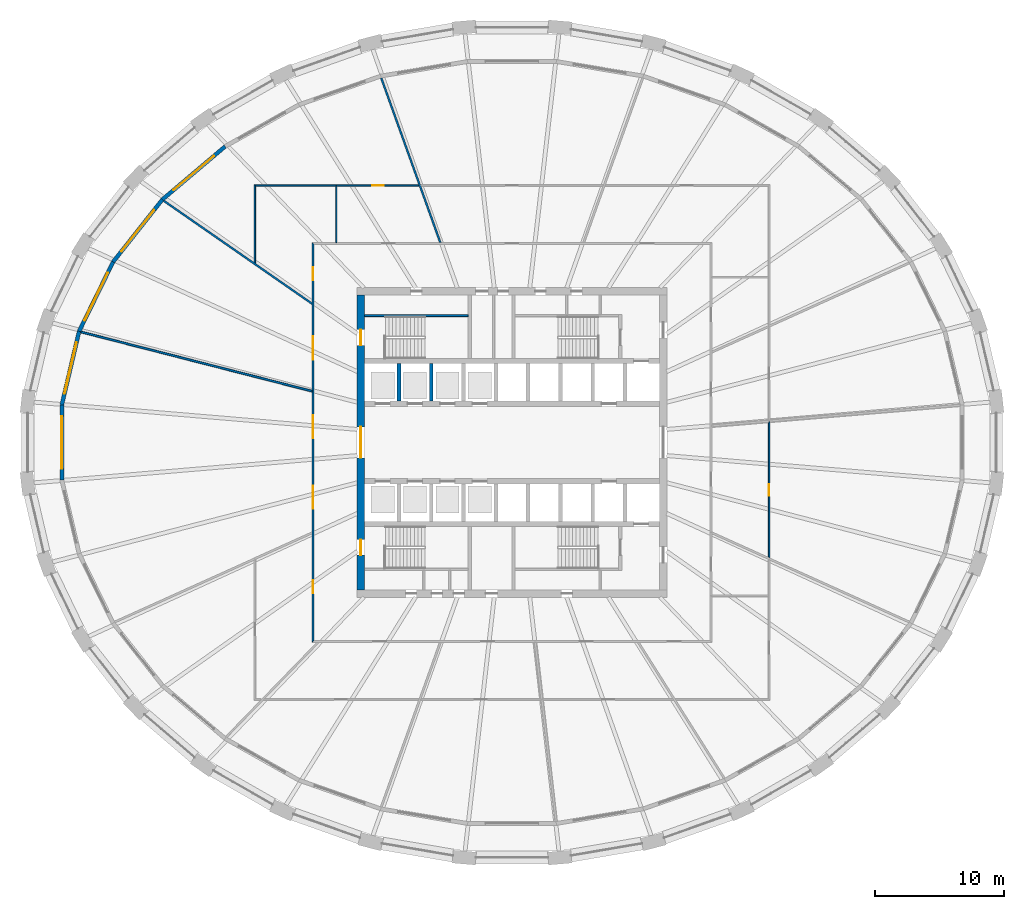
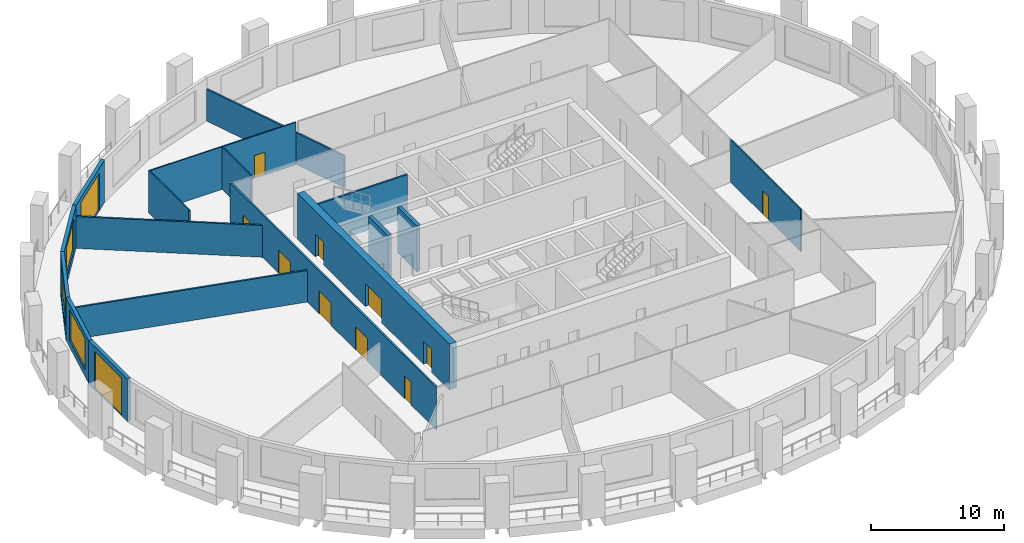
# One storey, part 5 of 11: 17 walls, 12 doors, 3 windows, 15 openings.
"""IFC4 building model written with IfcOpenShell, lengths in metres."""

from ifc_helpers import new_model, si_unit, direction, frame, frame_2d, origin, place, context, subcontext, project, spatial, polyline, rectangle, outline, extrude, material, layer, layer_set, type_object, element, fill, save


model = new_model("IFC4")

# Units and contexts
model_context = context("Model", 3, precision=1e-05, world=origin(), true_north=direction((0.0, 1.0)))
body_context = subcontext(model_context, "Body", "Model", "MODEL_VIEW")
ifc_project = project(units=[si_unit("LENGTHUNIT", "METRE"), si_unit("AREAUNIT", "SQUARE_METRE"), si_unit("VOLUMEUNIT", "CUBIC_METRE"), si_unit("PLANEANGLEUNIT", "RADIAN"), si_unit("MASSUNIT", "GRAM", prefix="KILO")], contexts=[model_context])

# Site, building, storey
site_placement = place(None, origin())
site = spatial("IfcSite", under=ifc_project, at=site_placement, CompositionType="ELEMENT")
building_placement = place(site_placement, origin())
building = spatial("IfcBuilding", under=site, at=building_placement, Name="Halqa Exchange Tower", CompositionType="ELEMENT")
storey_placement = place(building_placement, frame((0.0, 0.0, 36.10009765625)))
storey = spatial("IfcBuildingStorey", under=building, at=storey_placement, Name="L07", CompositionType="ELEMENT", Elevation=36.10009765625)

# Wall
ifc_material_1 = material(Name="Fire-rated gypsum board")
ifc_layer_1 = layer(ifc_material_1, 0.14990234375)
ifc_layer_set_1 = layer_set([ifc_layer_1], Name="Fire-rated gypsum board")
wall_type_1 = type_object("IfcWallType", Name="Fire partition EI 60 150", PredefinedType="PARTITIONING", material=ifc_layer_set_1)
wall_1_placement = place(storey_placement, frame((-26.949462890625, 18.702880859375, 0.0), z_axis=(0.0, 0.0, 1.0), x_axis=(0.821614916445, -0.570042918626, 0.0)))
element("IfcWall", 1, at=wall_1_placement, inside=storey, type_object=wall_type_1, Name="L07-PWL-002", PredefinedType="PARTITIONING", context=body_context, shape_type="SweptSolid", body=[
    extrude(outline(polyline([(14.017333984375, -0.074951171875), (14.017333984375, -0.074462890625), (13.966796875, -0.001708984375), (13.966796875, -0.001708984375), (13.913818359375, 0.074951171875), (12.099853515625, 0.074951171875), (10.285888671875, 0.074951171875), (8.47216796875, 0.074951171875), (8.46875, 0.07275390625), (8.467041015625, 0.074951171875), (6.778564453125, 0.074951171875), (5.090087890625, 0.074951171875), (3.401611328125, 0.074951171875), (1.712890625, 0.074951171875), (0.0244140625, 0.074951171875), (0.00439453125, 0.00048828125), (0.0, -0.071044921875), (0.0, -0.074951171875), (1.752197265625, -0.074951171875), (3.50439453125, -0.074951171875), (5.256591796875, -0.074951171875), (7.0087890625, -0.074951171875), (8.7607421875, -0.074951171875), (10.512939453125, -0.074951171875), (12.26513671875, -0.074951171875), (14.017333984375, -0.074951171875)])), origin(), (0.0, 0.0, 1.0), 2.909912109375),
])

# Wall, openings, doors
wall_2_placement = place(storey_placement, frame((-15.39990234375, -15.47509765625, 0.0), z_axis=(0.0, 0.0, 1.0), x_axis=(0.0, 1.0, 0.0)))
wall_2 = element("IfcWall", 2, at=wall_2_placement, inside=storey, type_object=wall_type_1, Name="L07-PWL-009", PredefinedType="PARTITIONING", context=body_context, shape_type="SweptSolid", body=[
    extrude(outline(polyline([(0.150146484375, -0.074951171875), (2.065673828125, -0.074951171875), (3.9814453125, -0.074951171875), (5.89697265625, -0.074951171875), (7.8125, -0.074951171875), (9.728271484375, -0.074951171875), (11.643798828125, -0.074951171875), (13.5595703125, -0.074951171875), (15.47509765625, -0.074951171875), (17.390625, -0.074951171875), (19.306396484375, -0.074951171875), (21.221923828125, -0.074951171875), (23.1376953125, -0.074951171875), (25.05322265625, -0.074951171875), (26.96875, -0.074951171875), (28.884521484375, -0.074951171875), (30.800048828125, -0.074951171875), (30.949951171875, 0.074951171875), (29.015625, 0.074951171875), (27.081298828125, 0.074951171875), (25.14697265625, 0.074951171875), (23.21240234375, 0.074951171875), (21.278076171875, 0.074951171875), (19.34375, 0.074951171875), (17.409423828125, 0.074951171875), (15.47509765625, 0.074951171875), (13.540771484375, 0.074951171875), (11.6064453125, 0.074951171875), (9.672119140625, 0.074951171875), (7.73779296875, 0.074951171875), (5.80322265625, 0.074951171875), (3.868896484375, 0.074951171875), (1.9345703125, 0.074951171875), (0.000244140625, 0.074951171875), (0.150146484375, -0.074951171875)])), origin(), (0.0, 0.0, 1.0), 3.89990234375),
])
opening_1_placement = place(wall_2_placement, frame((28.02001953125, 0.0, 0.0)))
opening_1 = element("IfcOpeningElement", 3, at=opening_1_placement, cuts=wall_2, Name="Opening 02-01", PredefinedType="OPENING", context=body_context, shape_type="SweptSolid", body=[
    extrude(rectangle(XDim=1.0, YDim=2.10009765625, at=frame_2d((0.5, 1.050048828125))), frame((0.0, 0.0869140625, 0.0), z_axis=(0.0, -1.0, 0.0), x_axis=(1.0, 0.0, 0.0)), (0.0, 0.0, 1.0), 0.173828125),
])
opening_2_placement = place(wall_2_placement, frame((21.89501953125, 0.0, 0.0)))
opening_2 = element("IfcOpeningElement", 4, at=opening_2_placement, cuts=wall_2, Name="Opening 02-03", PredefinedType="OPENING", context=body_context, shape_type="SweptSolid", body=[
    extrude(rectangle(XDim=1.800048828125, YDim=2.10009765625, at=frame_2d((0.89990234375, 1.050048828125))), frame((0.0, 0.0869140625, 0.0), z_axis=(0.0, -1.0, 0.0), x_axis=(1.0, 0.0, 0.0)), (0.0, 0.0, 1.0), 0.173828125),
])
opening_3_placement = place(wall_2_placement, frame((15.797607421875, 0.0, 0.0)))
opening_3 = element("IfcOpeningElement", 5, at=opening_3_placement, cuts=wall_2, Name="Opening 02-04", PredefinedType="OPENING", context=body_context, shape_type="SweptSolid", body=[
    extrude(rectangle(XDim=1.800048828125, YDim=2.10009765625, at=frame_2d((0.89990234375, 1.050048828125))), frame((0.0, 0.0869140625, 0.0), z_axis=(0.0, -1.0, 0.0), x_axis=(1.0, 0.0, 0.0)), (0.0, 0.0, 1.0), 0.173828125),
])
opening_4_placement = place(wall_2_placement, frame((10.342529296875, 0.0, 0.0)))
opening_4 = element("IfcOpeningElement", 6, at=opening_4_placement, cuts=wall_2, Name="Opening 02-05", PredefinedType="OPENING", context=body_context, shape_type="SweptSolid", body=[
    extrude(rectangle(XDim=1.800048828125, YDim=2.10009765625, at=frame_2d((0.89990234375, 1.050048828125))), frame((0.0, 0.0869140625, 0.0), z_axis=(0.0, -1.0, 0.0), x_axis=(1.0, 0.0, 0.0)), (0.0, 0.0, 1.0), 0.173828125),
])
opening_5_placement = place(wall_2_placement, frame((3.794921875, 0.0, 0.0)))
opening_5 = element("IfcOpeningElement", 7, at=opening_5_placement, cuts=wall_2, Name="Opening 02-06", PredefinedType="OPENING", context=body_context, shape_type="SweptSolid", body=[
    extrude(rectangle(XDim=1.0, YDim=2.10009765625, at=frame_2d((0.5, 1.050048828125))), frame((0.0, 0.0869140625, 0.0), z_axis=(0.0, -1.0, 0.0), x_axis=(1.0, 0.0, 0.0)), (0.0, 0.0, 1.0), 0.173828125),
])
ifc_material_2 = material(Name="Steel fire door leaf", Category="steel")
door_type_1 = type_object("IfcDoorType", Name="Fire door FD30S 1000 x 2100", OperationType="SINGLE_SWING_LEFT", PredefinedType="DOOR", material=ifc_material_2)
door_1_placement = place(opening_1_placement, origin())
door_1 = element("IfcDoor", 8, at=door_1_placement, inside=storey, type_object=door_type_1, Name="L07-IDR-001", OperationType="SINGLE_SWING_RIGHT", OverallHeight=2.10009765625, OverallWidth=1.0, PredefinedType="DOOR", context=body_context, shape_type="SweptSolid", body=[
    extrude(rectangle(XDim=1.0, YDim=2.10009765625, at=frame_2d((0.5, 1.050048828125))), frame((0.0, 0.02490234375, 0.0), z_axis=(0.0, -1.0, 0.0), x_axis=(1.0, 0.0, 0.0)), (0.0, 0.0, 1.0), 0.050048828125),
])
fill(opening_1, door_1)
door_2_placement = place(opening_5_placement, origin())
door_2 = element("IfcDoor", 9, at=door_2_placement, inside=storey, type_object=door_type_1, Name="L07-IDR-006", OperationType="SINGLE_SWING_LEFT", OverallHeight=2.10009765625, OverallWidth=1.0, PredefinedType="DOOR", context=body_context, shape_type="SweptSolid", body=[
    extrude(rectangle(XDim=1.0, YDim=2.10009765625, at=frame_2d((0.5, 1.050048828125))), frame((0.0, 0.02490234375, 0.0), z_axis=(0.0, -1.0, 0.0), x_axis=(1.0, 0.0, 0.0)), (0.0, 0.0, 1.0), 0.050048828125),
])
fill(opening_5, door_2)
door_type_2 = type_object("IfcDoorType", Name="Fire door FD30S double 1800 x 2100", OperationType="DOUBLE_DOOR_SINGLE_SWING", PredefinedType="DOOR", material=ifc_material_2)
door_3_placement = place(opening_2_placement, origin())
door_3 = element("IfcDoor", 10, at=door_3_placement, inside=storey, type_object=door_type_2, Name="L07-IDR-003", OperationType="DOUBLE_DOOR_SINGLE_SWING", OverallHeight=2.10009765625, OverallWidth=1.800048828125, PredefinedType="DOOR", context=body_context, shape_type="SweptSolid", body=[
    extrude(rectangle(XDim=1.800048828125, YDim=2.10009765625, at=frame_2d((0.89990234375, 1.050048828125))), frame((0.0, 0.02490234375, 0.0), z_axis=(0.0, -1.0, 0.0), x_axis=(1.0, 0.0, 0.0)), (0.0, 0.0, 1.0), 0.050048828125),
])
fill(opening_2, door_3)
door_4_placement = place(opening_3_placement, origin())
door_4 = element("IfcDoor", 11, at=door_4_placement, inside=storey, type_object=door_type_2, Name="L07-IDR-004", OperationType="DOUBLE_DOOR_SINGLE_SWING", OverallHeight=2.10009765625, OverallWidth=1.800048828125, PredefinedType="DOOR", context=body_context, shape_type="SweptSolid", body=[
    extrude(rectangle(XDim=1.800048828125, YDim=2.10009765625, at=frame_2d((0.89990234375, 1.050048828125))), frame((0.0, 0.02490234375, 0.0), z_axis=(0.0, -1.0, 0.0), x_axis=(1.0, 0.0, 0.0)), (0.0, 0.0, 1.0), 0.050048828125),
])
fill(opening_3, door_4)
door_5_placement = place(opening_4_placement, origin())
door_5 = element("IfcDoor", 12, at=door_5_placement, inside=storey, type_object=door_type_2, Name="L07-IDR-005", OperationType="DOUBLE_DOOR_SINGLE_SWING", OverallHeight=2.10009765625, OverallWidth=1.800048828125, PredefinedType="DOOR", context=body_context, shape_type="SweptSolid", body=[
    extrude(rectangle(XDim=1.800048828125, YDim=2.10009765625, at=frame_2d((0.89990234375, 1.050048828125))), frame((0.0, 0.02490234375, 0.0), z_axis=(0.0, -1.0, 0.0), x_axis=(1.0, 0.0, 0.0)), (0.0, 0.0, 1.0), 0.050048828125),
])
fill(opening_4, door_5)

# Walls
wall_3_placement = place(storey_placement, frame((-15.456787109375, 3.964599609375, 0.0), z_axis=(0.0, 0.0, 1.0), x_axis=(-0.968658160146, 0.248397602209, 0.0)))
element("IfcWall", 13, at=wall_3_placement, inside=storey, type_object=wall_type_1, Name="L07-PWL-011", PredefinedType="PARTITIONING", context=body_context, shape_type="SweptSolid", body=[
    extrude(outline(polyline([(0.0380859375, -0.074951171875), (1.880615234375, -0.074951171875), (3.723388671875, -0.074951171875), (5.566162109375, -0.074951171875), (7.40869140625, -0.074951171875), (9.25146484375, -0.074951171875), (11.093994140625, -0.074951171875), (12.936767578125, -0.074951171875), (14.779296875, -0.074951171875), (16.6220703125, -0.074951171875), (18.46484375, -0.074951171875), (18.477783203125, -0.01220703125), (18.477783203125, 0.074951171875), (16.6298828125, 0.074951171875), (14.7822265625, 0.074951171875), (12.9345703125, 0.074951171875), (11.086669921875, 0.074951171875), (9.23876953125, 0.074951171875), (7.39111328125, 0.074951171875), (5.54345703125, 0.074951171875), (3.695556640625, 0.074951171875), (1.84765625, 0.074951171875), (0.0, 0.074951171875), (0.0, 0.0732421875), (0.0380859375, -0.074951171875)])), origin(), (0.0, 0.0, 1.0), 2.891845703125),
])
wall_4_placement = place(storey_placement, frame((-10.119384765625, 28.209228515625, 0.0), z_axis=(0.0, 0.0, 1.0), x_axis=(0.337949016046, -0.941164418448, 0.0)))
element("IfcWall", 14, at=wall_4_placement, inside=storey, type_object=wall_type_1, Name="L07-PWL-015", PredefinedType="PARTITIONING", context=body_context, shape_type="SweptSolid", body=[
    extrude(outline(polyline([(0.0, -0.074951171875), (1.749755859375, -0.074951171875), (3.49951171875, -0.074951171875), (5.249267578125, -0.074951171875), (6.9990234375, -0.074951171875), (8.74853515625, -0.074951171875), (8.7490234375, -0.07421875), (8.751220703125, -0.074951171875), (10.335205078125, -0.074951171875), (11.919189453125, -0.074951171875), (13.50341796875, -0.074951171875), (13.554931640625, 0.068603515625), (13.554931640625, 0.068603515625), (13.556884765625, 0.073974609375), (13.556884765625, 0.074951171875), (12.007568359375, 0.074951171875), (10.4580078125, 0.074951171875), (8.90869140625, 0.074951171875), (8.908203125, 0.0732421875), (8.9033203125, 0.074951171875), (7.12548828125, 0.074951171875), (5.347412109375, 0.074951171875), (3.569580078125, 0.074951171875), (1.791748046875, 0.074951171875), (0.013916015625, 0.074951171875), (0.00048828125, 0.00048828125), (0.0, -0.070556640625), (0.0, -0.074951171875)])), origin(), (0.0, 0.0, 1.0), 2.909912109375),
])
ifc_material_3 = material(Name="Gypsum board")
ifc_layer_2 = layer(ifc_material_3, 0.10009765625)
ifc_layer_set_2 = layer_set([ifc_layer_2], Name="Gypsum board")
wall_type_2 = type_object("IfcWallType", Name="Partition 100 gypsum", PredefinedType="PARTITIONING", material=ifc_layer_set_2)
wall_5_placement = place(storey_placement, frame((-19.89990234375, 13.868896484375, 0.0), z_axis=(0.0, 0.0, 1.0), x_axis=(0.0, 1.0, 0.0)))
element("IfcWall", 15, at=wall_5_placement, inside=storey, type_object=wall_type_2, Name="L07-PWL-006", PredefinedType="PARTITIONING", context=body_context, shape_type="SweptSolid", body=[
    extrude(outline(polyline([(0.0, -0.050048828125), (1.99365234375, -0.050048828125), (3.9873046875, -0.050048828125), (5.98095703125, -0.050048828125), (5.981201171875, -0.0498046875), (6.0810546875, 0.050048828125), (4.578125, 0.050048828125), (3.0751953125, 0.050048828125), (1.572021484375, 0.050048828125), (0.069091796875, 0.050048828125), (0.0, -0.049560546875), (0.0, -0.050048828125)])), origin(), (0.0, 0.0, 1.0), 3.89990234375),
])

# Wall, opening, door
wall_6_placement = place(storey_placement, frame((-19.949951171875, 19.89990234375, 0.0), z_axis=(0.0, 0.0, 1.0), x_axis=(1.0, 0.0, 0.0)))
wall_6 = element("IfcWall", 16, at=wall_6_placement, inside=storey, type_object=wall_type_2, Name="L07-PWL-007", PredefinedType="PARTITIONING", context=body_context, shape_type="SweptSolid", body=[
    extrude(outline(polyline([(12.717529296875, 0.050048828125), (10.900634765625, 0.050048828125), (9.083984375, 0.050048828125), (7.26708984375, 0.050048828125), (5.450439453125, 0.050048828125), (3.633544921875, 0.050048828125), (1.81689453125, 0.050048828125), (0.0, 0.050048828125), (0.10009765625, -0.050048828125), (1.902587890625, -0.050048828125), (3.705078125, -0.050048828125), (5.507568359375, -0.050048828125), (7.31005859375, -0.050048828125), (9.112548828125, -0.050048828125), (10.9150390625, -0.050048828125), (12.717529296875, -0.050048828125), (12.717529296875, 0.050048828125)])), origin(), (0.0, 0.0, 1.0), 3.89990234375),
])
opening_6_placement = place(wall_6_placement, frame((9.1298828125, 0.0, 0.0)))
opening_6 = element("IfcOpeningElement", 17, at=opening_6_placement, cuts=wall_6, Name="Opening 02-17", PredefinedType="OPENING", context=body_context, shape_type="SweptSolid", body=[
    extrude(rectangle(XDim=0.89990234375, YDim=2.10009765625, at=frame_2d((0.449951171875, 1.050048828125))), frame((0.0, 0.06201171875, 0.0), z_axis=(0.0, -1.0, 0.0), x_axis=(1.0, 0.0, 0.0)), (0.0, 0.0, 1.0), 0.1240234375),
])
ifc_material_4 = material(Name="Timber door leaf", Category="wood")
door_type_3 = type_object("IfcDoorType", Name="Door 900 x 2100", OperationType="SINGLE_SWING_LEFT", PredefinedType="DOOR", material=ifc_material_4)
door_6_placement = place(opening_6_placement, frame((0.89990234375, 0.0, 0.0), z_axis=(0.0, 0.0, 1.0), x_axis=(-1.0, 0.0, 0.0)))
door_6 = element("IfcDoor", 18, at=door_6_placement, inside=storey, type_object=door_type_3, Name="L07-IDR-017", OperationType="SINGLE_SWING_RIGHT", OverallHeight=2.10009765625, OverallWidth=0.89990234375, PredefinedType="DOOR", context=body_context, shape_type="SweptSolid", body=[
    extrude(rectangle(XDim=0.89990234375, YDim=2.10009765625, at=frame_2d((0.449951171875, 1.050048828125))), frame((0.0, 0.02490234375, 0.0), z_axis=(0.0, -1.0, 0.0), x_axis=(1.0, 0.0, 0.0)), (0.0, 0.0, 1.0), 0.050048828125),
])
fill(opening_6, door_6)

# Wall
wall_7_placement = place(storey_placement, frame((-13.60009765625, 19.85009765625, 0.0), z_axis=(0.0, 0.0, 1.0), x_axis=(0.0, -1.0, 0.0)))
element("IfcWall", 19, at=wall_7_placement, inside=storey, type_object=wall_type_2, Name="L07-PWL-013", PredefinedType="PARTITIONING", context=body_context, shape_type="SweptSolid", body=[
    extrude(rectangle(XDim=4.375, YDim=0.10009765625, at=frame_2d((2.1875, 0.0))), origin(), (0.0, 0.0, 1.0), 3.89990234375),
])

# Wall, opening, door
wall_8_placement = place(storey_placement, frame((19.89990234375, 1.58837890625, 0.0), z_axis=(0.0, 0.0, 1.0), x_axis=(0.0, -1.0, 0.0)))
wall_8 = element("IfcWall", 20, at=wall_8_placement, inside=storey, type_object=wall_type_2, Name="L07-PWL-035", PredefinedType="PARTITIONING", context=body_context, shape_type="SweptSolid", body=[
    extrude(outline(polyline([(0.017822265625, -0.050048828125), (1.76025390625, -0.050048828125), (3.5029296875, -0.050048828125), (5.24560546875, -0.050048828125), (6.98828125, -0.050048828125), (8.73095703125, -0.050048828125), (10.473388671875, -0.050048828125), (10.518310546875, 0.04931640625), (10.518310546875, 0.050048828125), (8.76513671875, 0.050048828125), (7.01220703125, 0.050048828125), (5.25927734375, 0.050048828125), (3.506103515625, 0.050048828125), (1.7529296875, 0.050048828125), (0.0, 0.050048828125), (0.0, 0.044189453125), (0.00732421875, -0.04345703125), (0.0, -0.044189453125), (0.0, -0.04443359375), (0.01708984375, -0.043212890625), (0.017822265625, -0.050048828125)])), origin(), (0.0, 0.0, 1.0), 3.89990234375),
])
opening_7_placement = place(wall_8_placement, frame((4.80859375, 0.0, 0.0)))
opening_7 = element("IfcOpeningElement", 21, at=opening_7_placement, cuts=wall_8, Name="Opening 02-23", PredefinedType="OPENING", context=body_context, shape_type="SweptSolid", body=[
    extrude(rectangle(XDim=0.89990234375, YDim=2.10009765625, at=frame_2d((0.449951171875, 1.050048828125))), frame((0.0, 0.06201171875, 0.0), z_axis=(0.0, -1.0, 0.0), x_axis=(1.0, 0.0, 0.0)), (0.0, 0.0, 1.0), 0.1240234375),
])
door_7_placement = place(opening_7_placement, frame((0.89990234375, 0.0, 0.0), z_axis=(0.0, 0.0, 1.0), x_axis=(-1.0, 0.0, 0.0)))
door_7 = element("IfcDoor", 22, at=door_7_placement, inside=storey, type_object=door_type_3, Name="L07-IDR-023", OperationType="SINGLE_SWING_RIGHT", OverallHeight=2.10009765625, OverallWidth=0.89990234375, PredefinedType="DOOR", context=body_context, shape_type="SweptSolid", body=[
    extrude(rectangle(XDim=0.89990234375, YDim=2.10009765625, at=frame_2d((0.449951171875, 1.050048828125))), frame((0.0, 0.02490234375, 0.0), z_axis=(0.0, -1.0, 0.0), x_axis=(1.0, 0.0, 0.0)), (0.0, 0.0, 1.0), 0.050048828125),
])
fill(opening_7, door_7)

# Walls
ifc_material_5 = material(Name="Concrete C60/75", Category="concrete")
ifc_layer_3 = layer(ifc_material_5, 0.300048828125)
ifc_layer_set_3 = layer_set([ifc_layer_3], Name="Concrete C60/75")
wall_type_3 = type_object("IfcWallType", Name="RC core wall 300", PredefinedType="SHEAR", material=ifc_layer_set_3)
for number, where, z_axis, x_axis, name in (
    (23, (-8.75, 3.199951171875, 0.0), (0.0, 0.0, 1.0), (0.0, 1.0, 0.0), "Shaft divider N1"),
    (24, (-6.25, 3.199951171875, 0.0), (0.0, 0.0, 1.0), (0.0, 1.0, 0.0), "Shaft divider N2"),
):
    element("IfcWall", number, at=place(storey_placement, frame(where, z_axis=z_axis, x_axis=x_axis)), inside=storey, type_object=wall_type_3, Name=name, PredefinedType="SHEAR", context=body_context, shape_type="SweptSolid", body=[
        extrude(rectangle(XDim=2.900146484375, YDim=0.300048828125, at=frame_2d((1.4501953125, 0.0))), origin(), (0.0, 0.0, 1.0), 4.199951171875),
    ])

# Wall, openings, doors
ifc_material_6 = material(Name="Concrete C80/95", Category="concrete")
ifc_layer_4 = layer(ifc_material_6, 0.60009765625)
ifc_layer_set_4 = layer_set([ifc_layer_4], Name="Concrete C80/95")
wall_type_4 = type_object("IfcWallType", Name="RC core wall 600 C80/95", PredefinedType="SHEAR", material=ifc_layer_set_4)
wall_9_placement = place(storey_placement, frame((-11.699951171875, -11.39990234375, 0.0), z_axis=(0.0, 0.0, 1.0), x_axis=(0.0, 1.0, 0.0)))
wall_9 = element("IfcWall", 25, at=wall_9_placement, inside=storey, type_object=wall_type_4, Name="Core wall west", PredefinedType="SHEAR", context=body_context, shape_type="SweptSolid", body=[
    extrude(rectangle(XDim=22.7998046875, YDim=0.60009765625, at=frame_2d((11.39990234375, 0.0))), origin(), (0.0, 0.0, 1.0), 4.199951171875),
])
opening_8_placement = place(wall_9_placement, frame((10.199951171875, 0.0, 0.0)))
opening_8 = element("IfcOpeningElement", 26, at=opening_8_placement, cuts=wall_9, Name="Opening T02-C13", PredefinedType="OPENING", context=body_context, shape_type="SweptSolid", body=[
    extrude(rectangle(XDim=2.39990234375, YDim=2.10009765625, at=frame_2d((1.199951171875, 1.050048828125))), frame((0.0, 0.31201171875, 0.0), z_axis=(0.0, -1.0, 0.0), x_axis=(1.0, 0.0, 0.0)), (0.0, 0.0, 1.0), 0.6240234375),
])
opening_9_placement = place(wall_9_placement, frame((18.925048828125, 0.0, 0.0)))
opening_9 = element("IfcOpeningElement", 27, at=opening_9_placement, cuts=wall_9, Name="Opening T02-C15", PredefinedType="OPENING", context=body_context, shape_type="SweptSolid", body=[
    extrude(rectangle(XDim=1.199951171875, YDim=2.10009765625, at=frame_2d((0.60009765625, 1.050048828125))), frame((0.0, 0.31201171875, 0.0), z_axis=(0.0, -1.0, 0.0), x_axis=(1.0, 0.0, 0.0)), (0.0, 0.0, 1.0), 0.6240234375),
])
opening_10_placement = place(wall_9_placement, frame((2.675048828125, 0.0, 0.0)))
opening_10 = element("IfcOpeningElement", 28, at=opening_10_placement, cuts=wall_9, Name="Opening T02-C17", PredefinedType="OPENING", context=body_context, shape_type="SweptSolid", body=[
    extrude(rectangle(XDim=1.199951171875, YDim=2.10009765625, at=frame_2d((0.60009765625, 1.050048828125))), frame((0.0, 0.31201171875, 0.0), z_axis=(0.0, -1.0, 0.0), x_axis=(1.0, 0.0, 0.0)), (0.0, 0.0, 1.0), 0.6240234375),
])
door_type_4 = type_object("IfcDoorType", Name="Lobby double door FD60 2400 x 2100", OperationType="DOUBLE_DOOR_SINGLE_SWING", PredefinedType="DOOR", material=ifc_material_2)
door_8_placement = place(opening_8_placement, frame((2.39990234375, 0.0, 0.0), z_axis=(0.0, 0.0, 1.0), x_axis=(-1.0, 0.0, 0.0)))
door_8 = element("IfcDoor", 29, at=door_8_placement, inside=storey, type_object=door_type_4, Name="Lift lobby double door", OperationType="DOUBLE_DOOR_SINGLE_SWING", OverallHeight=2.10009765625, OverallWidth=2.39990234375, PredefinedType="DOOR", context=body_context, shape_type="SweptSolid", body=[
    extrude(rectangle(XDim=2.39990234375, YDim=2.10009765625, at=frame_2d((1.199951171875, 1.050048828125))), frame((0.0, 0.02490234375, 0.0), z_axis=(0.0, -1.0, 0.0), x_axis=(1.0, 0.0, 0.0)), (0.0, 0.0, 1.0), 0.050048828125),
])
fill(opening_8, door_8)
door_type_5 = type_object("IfcDoorType", Name="Stair door FD90 1200 x 2100", OperationType="SINGLE_SWING_LEFT", PredefinedType="DOOR", material=ifc_material_2)
door_9_placement = place(opening_9_placement, frame((1.199951171875, 0.0, 0.0), z_axis=(0.0, 0.0, 1.0), x_axis=(-1.0, 0.0, 0.0)))
door_9 = element("IfcDoor", 30, at=door_9_placement, inside=storey, type_object=door_type_5, Name="Stair door ST1", OperationType="SINGLE_SWING_LEFT", OverallHeight=2.10009765625, OverallWidth=1.199951171875, PredefinedType="DOOR", context=body_context, shape_type="SweptSolid", body=[
    extrude(rectangle(XDim=1.199951171875, YDim=2.10009765625, at=frame_2d((0.60009765625, 1.050048828125))), frame((0.0, 0.02490234375, 0.0), z_axis=(0.0, -1.0, 0.0), x_axis=(1.0, 0.0, 0.0)), (0.0, 0.0, 1.0), 0.050048828125),
])
fill(opening_9, door_9)
door_10_placement = place(opening_10_placement, frame((1.199951171875, 0.0, 0.0), z_axis=(0.0, 0.0, 1.0), x_axis=(-1.0, 0.0, 0.0)))
door_10 = element("IfcDoor", 31, at=door_10_placement, inside=storey, type_object=door_type_5, Name="Stair door ST3", OperationType="SINGLE_SWING_LEFT", OverallHeight=2.10009765625, OverallWidth=1.199951171875, PredefinedType="DOOR", context=body_context, shape_type="SweptSolid", body=[
    extrude(rectangle(XDim=1.199951171875, YDim=2.10009765625, at=frame_2d((0.60009765625, 1.050048828125))), frame((0.0, 0.02490234375, 0.0), z_axis=(0.0, -1.0, 0.0), x_axis=(1.0, 0.0, 0.0)), (0.0, 0.0, 1.0), 0.050048828125),
])
fill(opening_10, door_10)

# Wall
ifc_material_7 = material(Name="Concrete C30/37", Category="concrete")
ifc_layer_5 = layer(ifc_material_7, 0.14990234375)
ifc_layer_set_5 = layer_set([ifc_layer_5], Name="Concrete C30/37")
wall_type_5 = type_object("IfcWallType", Name="RC stair wall 150 C30/37", PredefinedType="SHEAR", material=ifc_layer_set_5)
wall_10_placement = place(storey_placement, frame((-11.39990234375, 9.824951171875, 0.0), z_axis=(0.0, 0.0, 1.0), x_axis=(1.0, 0.0, 0.0)))
element("IfcWall", 32, at=wall_10_placement, inside=storey, type_object=wall_type_5, Name="Stair ST1 north wall N", PredefinedType="SHEAR", context=body_context, shape_type="SweptSolid", body=[
    extrude(rectangle(XDim=8.0, YDim=0.14990234375, at=frame_2d((4.0, 0.0))), origin(), (0.0, 0.0, 1.0), 3.89990234375),
])

# Wall, opening, door
ifc_material_8 = material(Name="Limestone cladding", Category="masonry")
ifc_layer_6 = layer(ifc_material_8, 0.0400390625)
ifc_material_9 = material(Name="Ventilated cavity")
ifc_layer_7 = layer(ifc_material_9, 0.030029296875, ventilated=True)
ifc_material_10 = material(Name="Mineral wool insulation")
ifc_layer_8 = layer(ifc_material_10, 0.10009765625)
ifc_layer_9 = layer(ifc_material_7, 0.10009765625)
ifc_material_11 = material(Name="Internal plaster")
ifc_layer_10 = layer(ifc_material_11, 0.030029296875)
ifc_layer_set_6 = layer_set([ifc_layer_6, ifc_layer_7, ifc_layer_8, ifc_layer_9, ifc_layer_10], Name="Stone-faced insulated wall 300")
wall_type_6 = type_object("IfcWallType", Name="Stone-faced insulated wall 300", PredefinedType="STANDARD", material=ifc_layer_set_6)
wall_11_placement = place(storey_placement, frame((-22.19970703125, 22.91064453125, 0.0), z_axis=(0.0, 0.0, 1.0), x_axis=(-0.763577077796, -0.645716691951, 0.0)))
wall_11 = element("IfcWall", 33, at=wall_11_placement, inside=storey, type_object=wall_type_6, Name="Glass-line wall 12", PredefinedType="STANDARD", context=body_context, shape_type="SweptSolid", body=[
    extrude(outline(polyline([(-0.01416015625, -0.14990234375), (6.372314453125, -0.14990234375), (6.342041015625, 0.14990234375), (0.01416015625, 0.14990234375), (-0.01416015625, -0.14990234375)])), origin(), (0.0, 0.0, 1.0), 3.89990234375),
])
opening_11_placement = place(wall_11_placement, frame((1.128662109375, 0.0, 0.0)))
opening_11 = element("IfcOpeningElement", 34, at=opening_11_placement, cuts=wall_11, Name="Opening LG-F1-03", PredefinedType="OPENING", context=body_context, shape_type="SweptSolid", body=[
    extrude(rectangle(XDim=4.10009765625, YDim=3.449951171875, at=frame_2d((2.050048828125, 1.72509765625))), frame((0.0, 0.162109375, 0.0), z_axis=(0.0, -1.0, 0.0), x_axis=(1.0, 0.0, 0.0)), (0.0, 0.0, 1.0), 0.323974609375),
])
ifc_material_12 = material(Name="Clear low-emissivity glass in aluminium frame", Category="aluminium")
door_type_6 = type_object("IfcDoorType", Name="Glazed sliding loggia door 4100 x 3450", OperationType="DOUBLE_DOOR_SLIDING", PredefinedType="DOOR", material=ifc_material_12)
door_11_placement = place(opening_11_placement, origin())
door_11 = element("IfcDoor", 35, at=door_11_placement, inside=storey, type_object=door_type_6, Name="Loggia door 3", OperationType="DOUBLE_DOOR_SLIDING", OverallHeight=3.449951171875, OverallWidth=4.10009765625, PredefinedType="DOOR", context=body_context, shape_type="SweptSolid", body=[
    extrude(rectangle(XDim=4.10009765625, YDim=3.449951171875, at=frame_2d((2.050048828125, 1.72509765625))), frame((0.0, 0.02490234375, 0.0), z_axis=(0.0, -1.0, 0.0), x_axis=(1.0, 0.0, 0.0)), (0.0, 0.0, 1.0), 0.050048828125),
])
fill(opening_11, door_11)

# Wall, opening, window
wall_12_placement = place(storey_placement, frame((-27.053955078125, 18.8056640625, 0.0), z_axis=(0.0, 0.0, 1.0), x_axis=(-0.61992334328, -0.784662378642, 0.0)))
wall_12 = element("IfcWall", 36, at=wall_12_placement, inside=storey, type_object=wall_type_6, Name="Glass-line wall 13", PredefinedType="STANDARD", context=body_context, shape_type="SweptSolid", body=[
    extrude(outline(polyline([(-0.01513671875, -0.14990234375), (6.1708984375, -0.14990234375), (6.138671875, 0.14990234375), (0.01513671875, 0.14990234375), (-0.01513671875, -0.14990234375)])), origin(), (0.0, 0.0, 1.0), 3.89990234375),
])
opening_12_placement = place(wall_12_placement, frame((1.02734375, 0.0, 0.60009765625)))
opening_12 = element("IfcOpeningElement", 37, at=opening_12_placement, cuts=wall_12, Name="Opening W-F1-13", PredefinedType="OPENING", context=body_context, shape_type="SweptSolid", body=[
    extrude(rectangle(XDim=4.10009765625, YDim=2.85009765625, at=frame_2d((2.050048828125, 1.425048828125))), frame((0.0, 0.162109375, 0.0), z_axis=(0.0, -1.0, 0.0), x_axis=(1.0, 0.0, 0.0)), (0.0, 0.0, 1.0), 0.323974609375),
])
window_type = type_object("IfcWindowType", Name="Fixed clear glazed window 4100 x 2850", PartitioningType="TRIPLE_PANEL_VERTICAL", PredefinedType="WINDOW", material=ifc_material_12)
window_1_placement = place(opening_12_placement, origin())
window_1 = element("IfcWindow", 38, at=window_1_placement, inside=storey, type_object=window_type, Name="Window 1", OverallHeight=2.85009765625, OverallWidth=4.10009765625, PartitioningType="TRIPLE_PANEL_VERTICAL", PredefinedType="WINDOW", context=body_context, shape_type="SweptSolid", body=[
    extrude(rectangle(XDim=4.10009765625, YDim=2.85009765625, at=frame_2d((2.050048828125, 1.425048828125))), frame((0.0, 0.030029296875, 0.0), z_axis=(0.0, -1.0, 0.0), x_axis=(1.0, 0.0, 0.0)), (0.0, 0.0, 1.0), 0.06005859375),
])
fill(opening_12, window_1)

wall_13_placement = place(storey_placement, frame((-30.869384765625, 13.976318359375, 0.0), z_axis=(0.0, 0.0, 1.0), x_axis=(-0.439896354052, -0.898048549741, 0.0)))
wall_13 = element("IfcWall", 39, at=wall_13_placement, inside=storey, type_object=wall_type_6, Name="Glass-line wall 14", PredefinedType="STANDARD", context=body_context, shape_type="SweptSolid", body=[
    extrude(outline(polyline([(-0.01611328125, -0.14990234375), (5.99462890625, -0.14990234375), (5.9609375, 0.14990234375), (0.01611328125, 0.14990234375), (-0.01611328125, -0.14990234375)])), origin(), (0.0, 0.0, 1.0), 3.89990234375),
])
opening_13_placement = place(wall_13_placement, frame((0.93896484375, 0.0, 0.60009765625)))
opening_13 = element("IfcOpeningElement", 40, at=opening_13_placement, cuts=wall_13, Name="Opening W-F1-14", PredefinedType="OPENING", context=body_context, shape_type="SweptSolid", body=[
    extrude(rectangle(XDim=4.10009765625, YDim=2.85009765625, at=frame_2d((2.050048828125, 1.425048828125))), frame((0.0, 0.162109375, 0.0), z_axis=(0.0, -1.0, 0.0), x_axis=(1.0, 0.0, 0.0)), (0.0, 0.0, 1.0), 0.323974609375),
])
window_2_placement = place(opening_13_placement, origin())
window_2 = element("IfcWindow", 41, at=window_2_placement, inside=storey, type_object=window_type, Name="Window 1", OverallHeight=2.85009765625, OverallWidth=4.10009765625, PartitioningType="TRIPLE_PANEL_VERTICAL", PredefinedType="WINDOW", context=body_context, shape_type="SweptSolid", body=[
    extrude(rectangle(XDim=4.10009765625, YDim=2.85009765625, at=frame_2d((2.050048828125, 1.425048828125))), frame((0.0, 0.030029296875, 0.0), z_axis=(0.0, -1.0, 0.0), x_axis=(1.0, 0.0, 0.0)), (0.0, 0.0, 1.0), 0.06005859375),
])
fill(opening_13, window_2)

wall_14_placement = place(storey_placement, frame((-33.4990234375, 8.60791015625, 0.0), z_axis=(0.0, 0.0, 1.0), x_axis=(-0.228976600496, -0.97343192696, 0.0)))
wall_14 = element("IfcWall", 42, at=wall_14_placement, inside=storey, type_object=wall_type_6, Name="Glass-line wall 15", PredefinedType="STANDARD", context=body_context, shape_type="SweptSolid", body=[
    extrude(outline(polyline([(-0.016845703125, -0.14990234375), (5.8740234375, -0.14990234375), (5.83935546875, 0.14990234375), (0.016845703125, 0.14990234375), (-0.016845703125, -0.14990234375)])), origin(), (0.0, 0.0, 1.0), 3.89990234375),
])
opening_14_placement = place(wall_14_placement, frame((0.87841796875, 0.0, 0.60009765625)))
opening_14 = element("IfcOpeningElement", 43, at=opening_14_placement, cuts=wall_14, Name="Opening W-F1-15", PredefinedType="OPENING", context=body_context, shape_type="SweptSolid", body=[
    extrude(rectangle(XDim=4.10009765625, YDim=2.85009765625, at=frame_2d((2.050048828125, 1.425048828125))), frame((0.0, 0.162109375, 0.0), z_axis=(0.0, -1.0, 0.0), x_axis=(1.0, 0.0, 0.0)), (0.0, 0.0, 1.0), 0.323974609375),
])
window_3_placement = place(opening_14_placement, origin())
window_3 = element("IfcWindow", 44, at=window_3_placement, inside=storey, type_object=window_type, Name="Window 1", OverallHeight=2.85009765625, OverallWidth=4.10009765625, PartitioningType="TRIPLE_PANEL_VERTICAL", PredefinedType="WINDOW", context=body_context, shape_type="SweptSolid", body=[
    extrude(rectangle(XDim=4.10009765625, YDim=2.85009765625, at=frame_2d((2.050048828125, 1.425048828125))), frame((0.0, 0.030029296875, 0.0), z_axis=(0.0, -1.0, 0.0), x_axis=(1.0, 0.0, 0.0)), (0.0, 0.0, 1.0), 0.06005859375),
])
fill(opening_14, window_3)

# Wall, opening, door
wall_15_placement = place(storey_placement, frame((-34.840087890625, 2.90673828125, 0.0), z_axis=(0.0, 0.0, 1.0), x_axis=(0.0, -1.0, 0.0)))
wall_15 = element("IfcWall", 45, at=wall_15_placement, inside=storey, type_object=wall_type_6, Name="Glass-line wall 16", PredefinedType="STANDARD", context=body_context, shape_type="SweptSolid", body=[
    extrude(outline(polyline([(-0.017333984375, -0.14990234375), (5.830810546875, -0.14990234375), (5.796142578125, 0.14990234375), (0.017333984375, 0.14990234375), (-0.017333984375, -0.14990234375)])), origin(), (0.0, 0.0, 1.0), 3.89990234375),
])
opening_15_placement = place(wall_15_placement, frame((0.856689453125, 0.0, 0.0)))
opening_15 = element("IfcOpeningElement", 46, at=opening_15_placement, cuts=wall_15, Name="Opening LG-F1-04", PredefinedType="OPENING", context=body_context, shape_type="SweptSolid", body=[
    extrude(rectangle(XDim=4.10009765625, YDim=3.449951171875, at=frame_2d((2.050048828125, 1.72509765625))), frame((0.0, 0.162109375, 0.0), z_axis=(0.0, -1.0, 0.0), x_axis=(1.0, 0.0, 0.0)), (0.0, 0.0, 1.0), 0.323974609375),
])
door_12_placement = place(opening_15_placement, origin())
door_12 = element("IfcDoor", 47, at=door_12_placement, inside=storey, type_object=door_type_6, Name="Loggia door 4", OperationType="DOUBLE_DOOR_SLIDING", OverallHeight=3.449951171875, OverallWidth=4.10009765625, PredefinedType="DOOR", context=body_context, shape_type="SweptSolid", body=[
    extrude(rectangle(XDim=4.10009765625, YDim=3.449951171875, at=frame_2d((2.050048828125, 1.72509765625))), frame((0.0, 0.02490234375, 0.0), z_axis=(0.0, -1.0, 0.0), x_axis=(1.0, 0.0, 0.0)), (0.0, 0.0, 1.0), 0.050048828125),
])
fill(opening_15, door_12)

save(model, "model.ifc")
